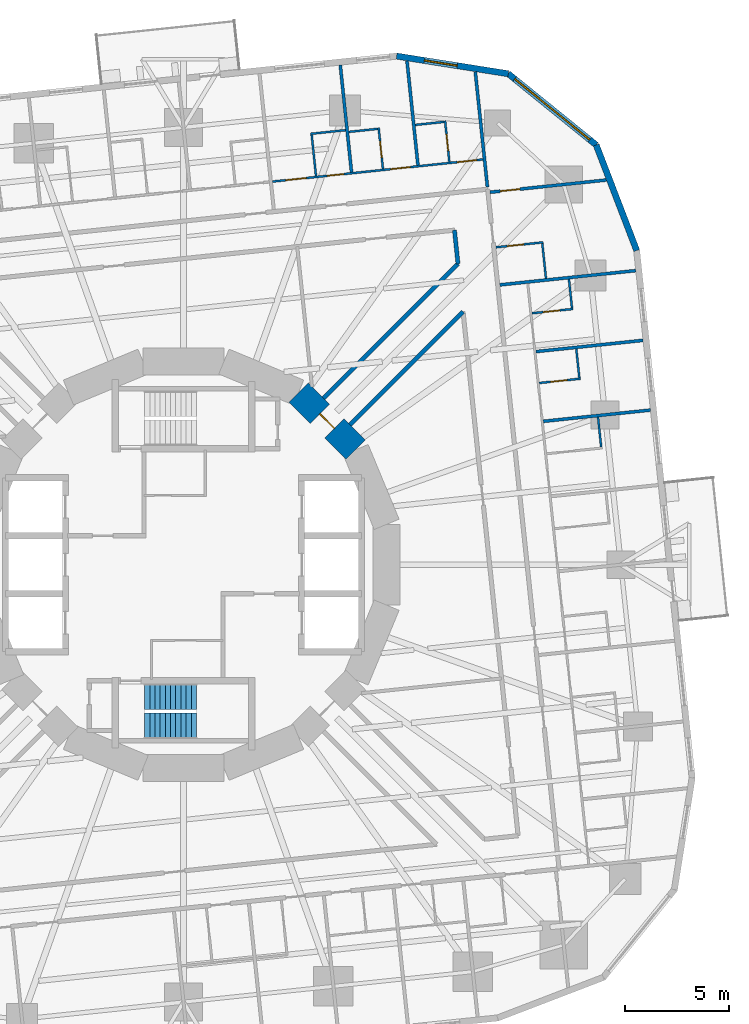
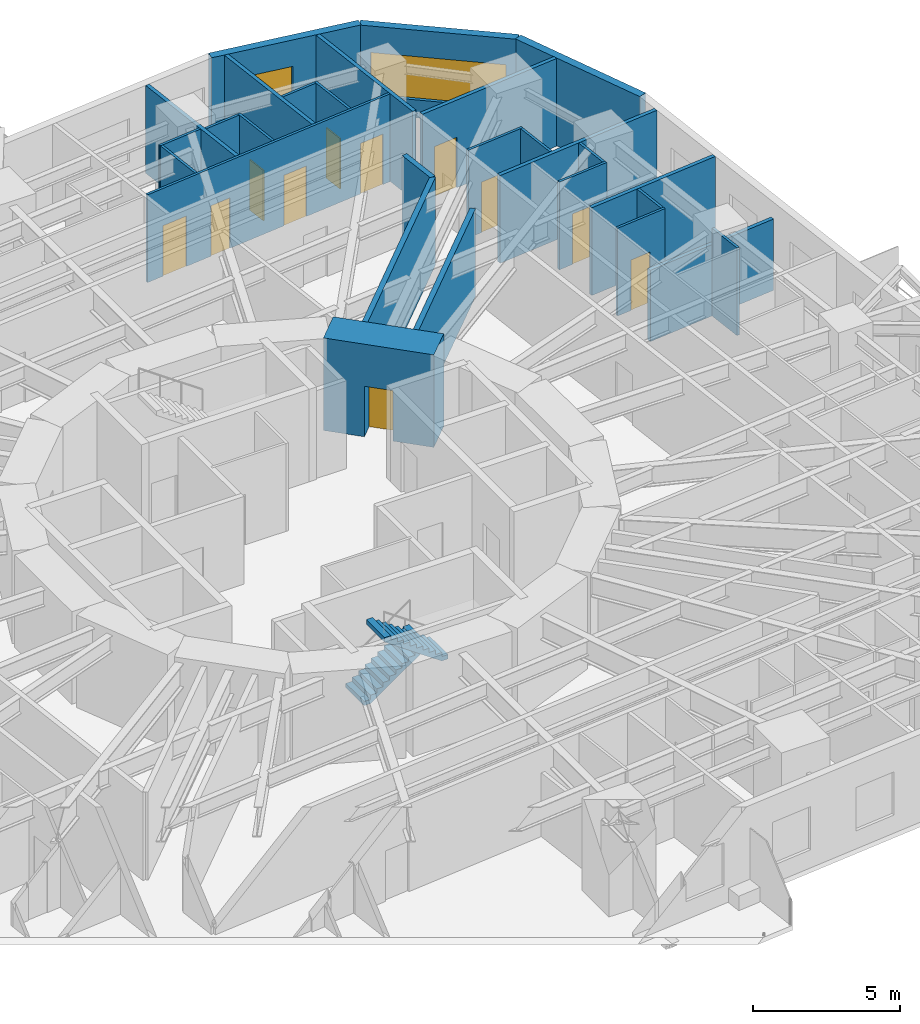
# One storey, part 12 of 15: 28 walls, 11 doors, 2 stair flights, 2 windows, 13 openings, 1 element without a shape of its own.
"""IFC4 building model written with IfcOpenShell, lengths in metres."""

from ifc_helpers import new_model, si_unit, direction, frame, frame_2d, origin, place, context, subcontext, project, spatial, polyline, rectangle, outline, extrude, material, layer, layer_set, type_object, element, fill, aggregate, save


model = new_model("IFC4")

# Units and contexts
model_context = context("Model", 3, precision=1e-05, world=origin(), true_north=direction((0.0, 1.0)))
body_context = subcontext(model_context, "Body", "Model", "MODEL_VIEW")
ifc_project = project(units=[si_unit("LENGTHUNIT", "METRE"), si_unit("AREAUNIT", "SQUARE_METRE"), si_unit("VOLUMEUNIT", "CUBIC_METRE"), si_unit("PLANEANGLEUNIT", "RADIAN"), si_unit("MASSUNIT", "GRAM", prefix="KILO")], contexts=[model_context])

# Site, building, storey
site_placement = place(None, origin())
site = spatial("IfcSite", under=ifc_project, at=site_placement, CompositionType="ELEMENT")
building_placement = place(site_placement, origin())
building = spatial("IfcBuilding", under=site, at=building_placement, Name="Nakasero Lantern House", CompositionType="ELEMENT")
storey_placement = place(building_placement, frame((0.0, 0.0, 72.050048828125)))
storey = spatial("IfcBuildingStorey", under=building, at=storey_placement, Name="L17", CompositionType="ELEMENT", Elevation=72.050048828125)

# Wall, openings, doors
ifc_material_1 = material(Name="Blockwork", Category="masonry")
ifc_layer_1 = layer(ifc_material_1, 0.10009765625)
ifc_layer_set_1 = layer_set([ifc_layer_1], Name="Cluster hall wall 100")
wall_type_1 = type_object("IfcWallType", Name="Cluster hall wall 100", PredefinedType="PARTITIONING", material=ifc_layer_set_1)
wall_1_placement = place(storey_placement, frame((14.458740234375, 19.568603515625, 0.0), z_axis=(0.0, 0.0, 1.0), x_axis=(-0.994520493056, -0.104541804513, 0.0)))
wall_1 = element("IfcWall", 1, at=wall_1_placement, inside=storey, type_object=wall_type_1, Name="Cluster hall wall L17 HW1-0", PredefinedType="PARTITIONING", context=body_context, shape_type="SweptSolid", body=[
    extrude(rectangle(XDim=10.2216796875, YDim=0.10009765625, at=frame_2d((5.11083984375, 0.0))), origin(), (0.0, 0.0, 1.0), 3.64990234375),
])
opening_1_placement = place(wall_1_placement, frame((8.57568359375, 0.0, 0.0)))
opening_1 = element("IfcOpeningElement", 2, at=opening_1_placement, cuts=wall_1, Name="Opening D03", PredefinedType="OPENING", context=body_context, shape_type="SweptSolid", body=[
    extrude(rectangle(XDim=1.0, YDim=2.10009765625, at=frame_2d((0.5, 1.050048828125))), frame((0.0, 0.070068359375, 0.0), z_axis=(0.0, -1.0, 0.0), x_axis=(1.0, 0.0, 0.0)), (0.0, 0.0, 1.0), 0.14013671875),
])
opening_2_placement = place(wall_1_placement, frame((6.75048828125, 0.0, 0.0)))
opening_2 = element("IfcOpeningElement", 3, at=opening_2_placement, cuts=wall_1, Name="Opening D02", PredefinedType="OPENING", context=body_context, shape_type="SweptSolid", body=[
    extrude(rectangle(XDim=0.800048828125, YDim=2.10009765625, at=frame_2d((0.39990234375, 1.050048828125))), frame((0.0, 0.070068359375, 0.0), z_axis=(0.0, -1.0, 0.0), x_axis=(1.0, 0.0, 0.0)), (0.0, 0.0, 1.0), 0.14013671875),
])
opening_3_placement = place(wall_1_placement, frame((0.300048828125, 0.0, 0.0)))
opening_3 = element("IfcOpeningElement", 4, at=opening_3_placement, cuts=wall_1, Name="Opening D01", PredefinedType="OPENING", context=body_context, shape_type="SweptSolid", body=[
    extrude(rectangle(XDim=0.949951171875, YDim=2.10009765625, at=frame_2d((0.47509765625, 1.050048828125))), frame((0.0, 0.070068359375, 0.0), z_axis=(0.0, -1.0, 0.0), x_axis=(1.0, 0.0, 0.0)), (0.0, 0.0, 1.0), 0.14013671875),
])
opening_4_placement = place(wall_1_placement, frame((3.525390625, 0.0, 0.0)))
opening_4 = element("IfcOpeningElement", 5, at=opening_4_placement, cuts=wall_1, Name="Opening D01", PredefinedType="OPENING", context=body_context, shape_type="SweptSolid", body=[
    extrude(rectangle(XDim=0.949951171875, YDim=2.10009765625, at=frame_2d((0.47509765625, 1.050048828125))), frame((0.0, 0.070068359375, 0.0), z_axis=(0.0, -1.0, 0.0), x_axis=(1.0, 0.0, 0.0)), (0.0, 0.0, 1.0), 0.14013671875),
])
ifc_material_2 = material(Name="Timber C24", Category="wood")
door_type_1 = type_object("IfcDoorType", Name="Bedroom door FD30S 950", OperationType="SINGLE_SWING_LEFT", PredefinedType="DOOR", material=ifc_material_2)
door_1_placement = place(opening_3_placement, origin())
door_1 = element("IfcDoor", 6, at=door_1_placement, inside=storey, type_object=door_type_1, Name="Door L17 D1-00", OperationType="SINGLE_SWING_LEFT", OverallHeight=2.10009765625, OverallWidth=0.949951171875, PredefinedType="DOOR", context=body_context, shape_type="SweptSolid", body=[
    extrude(rectangle(XDim=0.949951171875, YDim=2.10009765625, at=frame_2d((0.47509765625, 1.050048828125))), frame((0.0, 0.02490234375, 0.0), z_axis=(0.0, -1.0, 0.0), x_axis=(1.0, 0.0, 0.0)), (0.0, 0.0, 1.0), 0.050048828125),
])
fill(opening_3, door_1)
door_2_placement = place(opening_4_placement, origin())
door_2 = element("IfcDoor", 7, at=door_2_placement, inside=storey, type_object=door_type_1, Name="Door L17 D1-01", OperationType="SINGLE_SWING_LEFT", OverallHeight=2.10009765625, OverallWidth=0.949951171875, PredefinedType="DOOR", context=body_context, shape_type="SweptSolid", body=[
    extrude(rectangle(XDim=0.949951171875, YDim=2.10009765625, at=frame_2d((0.47509765625, 1.050048828125))), frame((0.0, 0.02490234375, 0.0), z_axis=(0.0, -1.0, 0.0), x_axis=(1.0, 0.0, 0.0)), (0.0, 0.0, 1.0), 0.050048828125),
])
fill(opening_4, door_2)
ifc_material_3 = material(Name="Timber C24", Category="wood")
door_type_2 = type_object("IfcDoorType", Name="En-suite door 800", OperationType="SINGLE_SWING_RIGHT", PredefinedType="DOOR", material=ifc_material_3)
door_3_placement = place(opening_2_placement, origin())
door_3 = element("IfcDoor", 8, at=door_3_placement, inside=storey, type_object=door_type_2, Name="Door L17 DSH1-0", OperationType="SINGLE_SWING_RIGHT", OverallHeight=2.10009765625, OverallWidth=0.800048828125, PredefinedType="DOOR", context=body_context, shape_type="SweptSolid", body=[
    extrude(rectangle(XDim=0.800048828125, YDim=2.10009765625, at=frame_2d((0.39990234375, 1.050048828125))), frame((0.0, 0.02490234375, 0.0), z_axis=(0.0, -1.0, 0.0), x_axis=(1.0, 0.0, 0.0)), (0.0, 0.0, 1.0), 0.050048828125),
])
fill(opening_2, door_3)
ifc_material_4 = material(Name="Timber C24", Category="wood")
door_type_3 = type_object("IfcDoorType", Name="Lounge door FD30S 1000", OperationType="SINGLE_SWING_LEFT", PredefinedType="DOOR", material=ifc_material_4)
door_4_placement = place(opening_1_placement, origin())
door_4 = element("IfcDoor", 9, at=door_4_placement, inside=storey, type_object=door_type_3, Name="Door L17 DH1-0", OperationType="SINGLE_SWING_RIGHT", OverallHeight=2.10009765625, OverallWidth=1.0, PredefinedType="DOOR", context=body_context, shape_type="SweptSolid", body=[
    extrude(rectangle(XDim=1.0, YDim=2.10009765625, at=frame_2d((0.5, 1.050048828125))), frame((0.0, 0.02490234375, 0.0), z_axis=(0.0, -1.0, 0.0), x_axis=(1.0, 0.0, 0.0)), (0.0, 0.0, 1.0), 0.050048828125),
])
fill(opening_1, door_4)

# Wall, opening, door
ifc_material_5 = material(Name="Concrete C50/60", Category="concrete")
ifc_layer_2 = layer(ifc_material_5, 1.300048828125)
ifc_layer_set_2 = layer_set([ifc_layer_2], Name="Core wall 1300")
wall_type_2 = type_object("IfcWallType", Name="Core wall 1300", PredefinedType="SHEAR", material=ifc_layer_set_2)
wall_2_placement = place(storey_placement, frame((8.314697265625, 5.5556640625, 0.0), z_axis=(0.0, 0.0, 1.0), x_axis=(-0.707106781187, 0.707106781187, 0.0)))
wall_2 = element("IfcWall", 10, at=wall_2_placement, inside=storey, type_object=wall_type_2, Name="Core wall L17 facet 2", PredefinedType="SHEAR", context=body_context, shape_type="SweptSolid", body=[
    extrude(rectangle(XDim=3.90185546875, YDim=1.300048828125, at=frame_2d((1.950927734375, 0.0))), origin(), (0.0, 0.0, 1.0), 3.849853515625),
])
opening_5_placement = place(wall_2_placement, frame((1.450927734375, 0.0, 0.0)))
opening_5 = element("IfcOpeningElement", 11, at=opening_5_placement, cuts=wall_2, Name="Opening D05", PredefinedType="OPENING", context=body_context, shape_type="SweptSolid", body=[
    extrude(rectangle(XDim=1.0, YDim=2.10009765625, at=frame_2d((0.5, 1.050048828125))), frame((0.0, 0.669921875, 0.0), z_axis=(0.0, -1.0, 0.0), x_axis=(1.0, 0.0, 0.0)), (0.0, 0.0, 1.0), 1.340087890625),
])
ifc_material_6 = material(Name="Timber C24", Category="wood")
door_type_4 = type_object("IfcDoorType", Name="Core door FD60S 1000", OperationType="SINGLE_SWING_LEFT", PredefinedType="DOOR", material=ifc_material_6)
door_5_placement = place(opening_5_placement, origin())
door_5 = element("IfcDoor", 12, at=door_5_placement, inside=storey, type_object=door_type_4, Name="Door L17 D-CORE02", OperationType="SINGLE_SWING_LEFT", OverallHeight=2.10009765625, OverallWidth=1.0, PredefinedType="DOOR", context=body_context, shape_type="SweptSolid", body=[
    extrude(rectangle(XDim=1.0, YDim=2.10009765625, at=frame_2d((0.5, 1.050048828125))), frame((0.0, 0.02490234375, 0.0), z_axis=(0.0, -1.0, 0.0), x_axis=(1.0, 0.0, 0.0)), (0.0, 0.0, 1.0), 0.050048828125),
])
fill(opening_5, door_5)

# Walls
ifc_material_7 = material(Name="Blockwork", Category="masonry")
ifc_layer_3 = layer(ifc_material_7, 0.199951171875)
ifc_layer_set_3 = layer_set([ifc_layer_3], Name="Corridor wall 200")
wall_type_3 = type_object("IfcWallType", Name="Corridor wall 200", PredefinedType="PARTITIONING", material=ifc_layer_set_3)
wall_3_placement = place(storey_placement, frame((13.254150390625, 14.52685546875, 0.0), z_axis=(0.0, 0.0, 1.0), x_axis=(-0.104475313001, 0.99452748025, 0.0)))
element("IfcWall", 13, at=wall_3_placement, inside=storey, type_object=wall_type_3, Name="Corridor wall L17 IW0-1", PredefinedType="PARTITIONING", context=body_context, shape_type="SweptSolid", body=[
    extrude(rectangle(XDim=1.63818359375, YDim=0.199951171875, at=frame_2d((0.819091796875, 0.0))), origin(), (0.0, 0.0, 1.0), 3.64990234375),
])
wall_4_placement = place(storey_placement, frame((6.758544921875, 8.03125, 0.0), z_axis=(0.0, 0.0, 1.0), x_axis=(0.707106781187, 0.707106781187, 0.0)))
element("IfcWall", 14, at=wall_4_placement, inside=storey, type_object=wall_type_3, Name="Corridor wall L17 PS02a", PredefinedType="PARTITIONING", context=body_context, shape_type="SweptSolid", body=[
    extrude(rectangle(XDim=9.186279296875, YDim=0.199951171875, at=frame_2d((4.59326171875, 0.0))), origin(), (0.0, 0.0, 1.0), 3.64990234375),
])
wall_5_placement = place(storey_placement, frame((8.03125, 6.758544921875, 0.0), z_axis=(0.0, 0.0, 1.0), x_axis=(0.707122575573, 0.707090986447, 0.0)))
element("IfcWall", 15, at=wall_5_placement, inside=storey, type_object=wall_type_3, Name="Corridor wall L17 PS02b", PredefinedType="PARTITIONING", context=body_context, shape_type="SweptSolid", body=[
    extrude(rectangle(XDim=7.728515625, YDim=0.199951171875, at=frame_2d((3.8642578125, 0.0))), origin(), (0.0, 0.0, 1.0), 3.64990234375),
])
ifc_material_8 = material(Name="Blockwork", Category="masonry")
ifc_layer_4 = layer(ifc_material_8, 0.10009765625)
ifc_layer_set_4 = layer_set([ifc_layer_4], Name="En-suite wall 100")
wall_type_4 = type_object("IfcWallType", Name="En-suite wall 100", PredefinedType="PARTITIONING", material=ifc_layer_set_4)
wall_6_placement = place(storey_placement, frame((20.166259765625, 5.68408203125, 0.0), z_axis=(0.0, 0.0, 1.0), x_axis=(-0.10455332221, 0.994519282274, 0.0)))
element("IfcWall", 16, at=wall_6_placement, inside=storey, type_object=wall_type_4, Name="En-suite wall L17 EE0-05", PredefinedType="PARTITIONING", context=body_context, shape_type="SweptSolid", body=[
    extrude(rectangle(XDim=1.4501953125, YDim=0.10009765625, at=frame_2d((0.72509765625, 0.0))), origin(), (0.0, 0.0, 1.0), 3.64990234375),
])

# Wall, opening, door
wall_7_placement = place(storey_placement, frame((17.177001953125, 8.774169921875, 0.0), z_axis=(0.0, 0.0, 1.0), x_axis=(0.99452550138, 0.104494148666, 0.0)))
wall_7 = element("IfcWall", 17, at=wall_7_placement, inside=storey, type_object=wall_type_4, Name="En-suite wall L17 ES0-06", PredefinedType="PARTITIONING", context=body_context, shape_type="SweptSolid", body=[
    extrude(rectangle(XDim=2.0, YDim=0.10009765625, at=frame_2d((1.0, 0.0))), origin(), (0.0, 0.0, 1.0), 3.64990234375),
])
opening_6_placement = place(wall_7_placement, frame((0.550048828125, 0.0, 0.0)))
opening_6 = element("IfcOpeningElement", 18, at=opening_6_placement, cuts=wall_7, Name="Opening D02", PredefinedType="OPENING", context=body_context, shape_type="SweptSolid", body=[
    extrude(rectangle(XDim=0.800048828125, YDim=2.10009765625, at=frame_2d((0.39990234375, 1.050048828125))), frame((0.0, 0.070068359375, 0.0), z_axis=(0.0, -1.0, 0.0), x_axis=(1.0, 0.0, 0.0)), (0.0, 0.0, 1.0), 0.14013671875),
])
door_6_placement = place(opening_6_placement, origin())
door_6 = element("IfcDoor", 19, at=door_6_placement, inside=storey, type_object=door_type_2, Name="Door L17 DE0-06", OperationType="SINGLE_SWING_LEFT", OverallHeight=2.10009765625, OverallWidth=0.800048828125, PredefinedType="DOOR", context=body_context, shape_type="SweptSolid", body=[
    extrude(rectangle(XDim=0.800048828125, YDim=2.10009765625, at=frame_2d((0.39990234375, 1.050048828125))), frame((0.0, 0.02490234375, 0.0), z_axis=(0.0, -1.0, 0.0), x_axis=(1.0, 0.0, 0.0)), (0.0, 0.0, 1.0), 0.050048828125),
])
fill(opening_6, door_6)

# Wall
wall_8_placement = place(storey_placement, frame((19.111083984375, 9.027587890625, 0.0), z_axis=(0.0, 0.0, 1.0), x_axis=(-0.104630319263, 0.994511184598, 0.0)))
element("IfcWall", 20, at=wall_8_placement, inside=storey, type_object=wall_type_4, Name="En-suite wall L17 EE0-06", PredefinedType="PARTITIONING", context=body_context, shape_type="SweptSolid", body=[
    extrude(rectangle(XDim=1.39990234375, YDim=0.10009765625, at=frame_2d((0.699951171875, 0.0))), origin(), (0.0, 0.0, 1.0), 3.64990234375),
])

# Wall, opening, door
wall_9_placement = place(storey_placement, frame((16.822998046875, 12.14111328125, 0.0), z_axis=(0.0, 0.0, 1.0), x_axis=(0.99452550138, 0.104494148666, 0.0)))
wall_9 = element("IfcWall", 21, at=wall_9_placement, inside=storey, type_object=wall_type_4, Name="En-suite wall L17 ES0-07", PredefinedType="PARTITIONING", context=body_context, shape_type="SweptSolid", body=[
    extrude(rectangle(XDim=2.0, YDim=0.10009765625, at=frame_2d((1.0, 0.0))), origin(), (0.0, 0.0, 1.0), 3.64990234375),
])
opening_7_placement = place(wall_9_placement, frame((0.550048828125, 0.0, 0.0)))
opening_7 = element("IfcOpeningElement", 22, at=opening_7_placement, cuts=wall_9, Name="Opening D02", PredefinedType="OPENING", context=body_context, shape_type="SweptSolid", body=[
    extrude(rectangle(XDim=0.800048828125, YDim=2.10009765625, at=frame_2d((0.39990234375, 1.050048828125))), frame((0.0, 0.070068359375, 0.0), z_axis=(0.0, -1.0, 0.0), x_axis=(1.0, 0.0, 0.0)), (0.0, 0.0, 1.0), 0.14013671875),
])
door_7_placement = place(opening_7_placement, origin())
door_7 = element("IfcDoor", 23, at=door_7_placement, inside=storey, type_object=door_type_2, Name="Door L17 DE0-07", OperationType="SINGLE_SWING_LEFT", OverallHeight=2.10009765625, OverallWidth=0.800048828125, PredefinedType="DOOR", context=body_context, shape_type="SweptSolid", body=[
    extrude(rectangle(XDim=0.800048828125, YDim=2.10009765625, at=frame_2d((0.39990234375, 1.050048828125))), frame((0.0, 0.02490234375, 0.0), z_axis=(0.0, -1.0, 0.0), x_axis=(1.0, 0.0, 0.0)), (0.0, 0.0, 1.0), 0.050048828125),
])
fill(opening_7, door_7)

# Wall
wall_10_placement = place(storey_placement, frame((18.757080078125, 12.394775390625, 0.0), z_axis=(0.0, 0.0, 1.0), x_axis=(-0.104457839748, 0.994529315664, 0.0)))
element("IfcWall", 24, at=wall_10_placement, inside=storey, type_object=wall_type_4, Name="En-suite wall L17 EE0-07", PredefinedType="PARTITIONING", context=body_context, shape_type="SweptSolid", body=[
    extrude(rectangle(XDim=1.39990234375, YDim=0.10009765625, at=frame_2d((0.699951171875, 0.0))), origin(), (0.0, 0.0, 1.0), 3.64990234375),
])

# Wall, opening, door
wall_11_placement = place(storey_placement, frame((15.08056640625, 15.326416015625, 0.0), z_axis=(0.0, 0.0, 1.0), x_axis=(0.994518822602, 0.104557694553, 0.0)))
wall_11 = element("IfcWall", 25, at=wall_11_placement, inside=storey, type_object=wall_type_4, Name="En-suite wall L17 ES0-08", PredefinedType="PARTITIONING", context=body_context, shape_type="SweptSolid", body=[
    extrude(rectangle(XDim=2.300048828125, YDim=0.10009765625, at=frame_2d((1.14990234375, 0.0))), origin(), (0.0, 0.0, 1.0), 3.64990234375),
])
opening_8_placement = place(wall_11_placement, frame((0.550048828125, 0.0, 0.0)))
opening_8 = element("IfcOpeningElement", 26, at=opening_8_placement, cuts=wall_11, Name="Opening D02", PredefinedType="OPENING", context=body_context, shape_type="SweptSolid", body=[
    extrude(rectangle(XDim=0.800048828125, YDim=2.10009765625, at=frame_2d((0.39990234375, 1.050048828125))), frame((0.0, 0.070068359375, 0.0), z_axis=(0.0, -1.0, 0.0), x_axis=(1.0, 0.0, 0.0)), (0.0, 0.0, 1.0), 0.14013671875),
])
door_8_placement = place(opening_8_placement, origin())
door_8 = element("IfcDoor", 27, at=door_8_placement, inside=storey, type_object=door_type_2, Name="Door L17 DE0-08", OperationType="SINGLE_SWING_LEFT", OverallHeight=2.10009765625, OverallWidth=0.800048828125, PredefinedType="DOOR", context=body_context, shape_type="SweptSolid", body=[
    extrude(rectangle(XDim=0.800048828125, YDim=2.10009765625, at=frame_2d((0.39990234375, 1.050048828125))), frame((0.0, 0.02490234375, 0.0), z_axis=(0.0, -1.0, 0.0), x_axis=(1.0, 0.0, 0.0)), (0.0, 0.0, 1.0), 0.050048828125),
])
fill(opening_8, door_8)

# Walls
wall_12_placement = place(storey_placement, frame((17.501220703125, 13.8212890625, 0.0), z_axis=(0.0, 0.0, 1.0), x_axis=(-0.104550220202, 0.994519608382, 0.0)))
element("IfcWall", 28, at=wall_12_placement, inside=storey, type_object=wall_type_4, Name="En-suite wall L17 EE0-08", PredefinedType="PARTITIONING", context=body_context, shape_type="SweptSolid", body=[
    extrude(rectangle(XDim=1.699951171875, YDim=0.10009765625, at=frame_2d((0.85009765625, 0.0))), origin(), (0.0, 0.0, 1.0), 3.64990234375),
])
wall_13_placement = place(storey_placement, frame((6.397216796875, 18.771484375, 0.0), z_axis=(0.0, 0.0, 1.0), x_axis=(-0.104509292252, 0.994523910136, 0.0)))
element("IfcWall", 29, at=wall_13_placement, inside=storey, type_object=wall_type_4, Name="En-suite wall L17 SS1-0", PredefinedType="PARTITIONING", context=body_context, shape_type="SweptSolid", body=[
    extrude(rectangle(XDim=2.10009765625, YDim=0.10009765625, at=frame_2d((1.050048828125, 0.0))), origin(), (0.0, 0.0, 1.0), 3.64990234375),
])
wall_14_placement = place(storey_placement, frame((7.823974609375, 20.982666015625, 0.0), z_axis=(0.0, 0.0, 1.0), x_axis=(-0.994534530939, -0.104408173862, 0.0)))
element("IfcWall", 30, at=wall_14_placement, inside=storey, type_object=wall_type_4, Name="En-suite wall L17 SE1-0", PredefinedType="PARTITIONING", context=body_context, shape_type="SweptSolid", body=[
    extrude(rectangle(XDim=1.699951171875, YDim=0.10009765625, at=frame_2d((0.85009765625, 0.0))), origin(), (0.0, 0.0, 1.0), 3.64990234375),
])

# Wall, opening, door
wall_15_placement = place(storey_placement, frame((12.837158203125, 19.448486328125, 0.0), z_axis=(0.0, 0.0, 1.0), x_axis=(-0.104494148666, 0.99452550138, 0.0)))
wall_15 = element("IfcWall", 31, at=wall_15_placement, inside=storey, type_object=wall_type_4, Name="En-suite wall L17 ES1-00", PredefinedType="PARTITIONING", context=body_context, shape_type="SweptSolid", body=[
    extrude(rectangle(XDim=2.0, YDim=0.10009765625, at=frame_2d((1.0, 0.0))), origin(), (0.0, 0.0, 1.0), 3.64990234375),
])
opening_9_placement = place(wall_15_placement, frame((0.550048828125, 0.0, 0.0)))
opening_9 = element("IfcOpeningElement", 32, at=opening_9_placement, cuts=wall_15, Name="Opening D02", PredefinedType="OPENING", context=body_context, shape_type="SweptSolid", body=[
    extrude(rectangle(XDim=0.800048828125, YDim=2.10009765625, at=frame_2d((0.39990234375, 1.050048828125))), frame((0.0, 0.070068359375, 0.0), z_axis=(0.0, -1.0, 0.0), x_axis=(1.0, 0.0, 0.0)), (0.0, 0.0, 1.0), 0.14013671875),
])
door_9_placement = place(opening_9_placement, origin())
door_9 = element("IfcDoor", 33, at=door_9_placement, inside=storey, type_object=door_type_2, Name="Door L17 DE1-00", OperationType="SINGLE_SWING_LEFT", OverallHeight=2.10009765625, OverallWidth=0.800048828125, PredefinedType="DOOR", context=body_context, shape_type="SweptSolid", body=[
    extrude(rectangle(XDim=0.800048828125, YDim=2.10009765625, at=frame_2d((0.39990234375, 1.050048828125))), frame((0.0, 0.02490234375, 0.0), z_axis=(0.0, -1.0, 0.0), x_axis=(1.0, 0.0, 0.0)), (0.0, 0.0, 1.0), 0.050048828125),
])
fill(opening_9, door_9)

# Wall
wall_16_placement = place(storey_placement, frame((12.58349609375, 21.382568359375, 0.0), z_axis=(0.0, 0.0, 1.0), x_axis=(-0.994511184598, -0.104630319263, 0.0)))
element("IfcWall", 34, at=wall_16_placement, inside=storey, type_object=wall_type_4, Name="En-suite wall L17 EE1-00", PredefinedType="PARTITIONING", context=body_context, shape_type="SweptSolid", body=[
    extrude(rectangle(XDim=1.39990234375, YDim=0.10009765625, at=frame_2d((0.699951171875, 0.0))), origin(), (0.0, 0.0, 1.0), 3.64990234375),
])

# Wall, opening, door
wall_17_placement = place(storey_placement, frame((9.62939453125, 19.111328125, 0.0), z_axis=(0.0, 0.0, 1.0), x_axis=(-0.104494148666, 0.99452550138, 0.0)))
wall_17 = element("IfcWall", 35, at=wall_17_placement, inside=storey, type_object=wall_type_4, Name="En-suite wall L17 ES1-01", PredefinedType="PARTITIONING", context=body_context, shape_type="SweptSolid", body=[
    extrude(rectangle(XDim=2.0, YDim=0.10009765625, at=frame_2d((1.0, 0.0))), origin(), (0.0, 0.0, 1.0), 3.64990234375),
])
opening_10_placement = place(wall_17_placement, frame((0.550048828125, 0.0, 0.0)))
opening_10 = element("IfcOpeningElement", 36, at=opening_10_placement, cuts=wall_17, Name="Opening D02", PredefinedType="OPENING", context=body_context, shape_type="SweptSolid", body=[
    extrude(rectangle(XDim=0.800048828125, YDim=2.10009765625, at=frame_2d((0.39990234375, 1.050048828125))), frame((0.0, 0.070068359375, 0.0), z_axis=(0.0, -1.0, 0.0), x_axis=(1.0, 0.0, 0.0)), (0.0, 0.0, 1.0), 0.14013671875),
])
door_10_placement = place(opening_10_placement, origin())
door_10 = element("IfcDoor", 37, at=door_10_placement, inside=storey, type_object=door_type_2, Name="Door L17 DE1-01", OperationType="SINGLE_SWING_LEFT", OverallHeight=2.10009765625, OverallWidth=0.800048828125, PredefinedType="DOOR", context=body_context, shape_type="SweptSolid", body=[
    extrude(rectangle(XDim=0.800048828125, YDim=2.10009765625, at=frame_2d((0.39990234375, 1.050048828125))), frame((0.0, 0.02490234375, 0.0), z_axis=(0.0, -1.0, 0.0), x_axis=(1.0, 0.0, 0.0)), (0.0, 0.0, 1.0), 0.050048828125),
])
fill(opening_10, door_10)

# Walls
wall_18_placement = place(storey_placement, frame((9.3759765625, 21.04541015625, 0.0), z_axis=(0.0, 0.0, 1.0), x_axis=(-0.994511184598, -0.104630319263, 0.0)))
element("IfcWall", 38, at=wall_18_placement, inside=storey, type_object=wall_type_4, Name="En-suite wall L17 EE1-01", PredefinedType="PARTITIONING", context=body_context, shape_type="SweptSolid", body=[
    extrude(rectangle(XDim=1.39990234375, YDim=0.10009765625, at=frame_2d((0.699951171875, 0.0))), origin(), (0.0, 0.0, 1.0), 3.64990234375),
])
ifc_material_9 = material(Name="Aluminium rainscreen on blockwork", Category="masonry")
ifc_layer_5 = layer(ifc_material_9, 0.300048828125)
ifc_layer_set_5 = layer_set([ifc_layer_5], Name="Facade wall 300")
wall_type_5 = type_object("IfcWallType", Name="Facade wall 300", PredefinedType="SOLIDWALL", material=ifc_layer_set_5)
wall_19_placement = place(storey_placement, frame((21.884033203125, 15.170654296875, 0.0), z_axis=(0.0, 0.0, 1.0), x_axis=(-0.358358884793, 0.933583906079, 0.0)))
element("IfcWall", 39, at=wall_19_placement, inside=storey, type_object=wall_type_5, Name="Facade wall L17 FW0C1", PredefinedType="SOLIDWALL", context=body_context, shape_type="SweptSolid", body=[
    extrude(rectangle(XDim=5.461181640625, YDim=0.300048828125, at=frame_2d((2.73046875, 0.0))), origin(), (0.0, 0.0, 1.0), 3.64990234375),
])

# Wall, opening, window
wall_20_placement = place(storey_placement, frame((19.927001953125, 20.26904296875, 0.0), z_axis=(0.0, 0.0, 1.0), x_axis=(-0.777134500863, 0.629334543442, 0.0)))
wall_20 = element("IfcWall", 40, at=wall_20_placement, inside=storey, type_object=wall_type_5, Name="Facade wall L17 FW0C2", PredefinedType="SOLIDWALL", context=body_context, shape_type="SweptSolid", body=[
    extrude(rectangle(XDim=5.4609375, YDim=0.300048828125, at=frame_2d((2.73046875, 0.0))), origin(), (0.0, 0.0, 1.0), 3.64990234375),
])
opening_11_placement = place(wall_20_placement, frame((0.39990234375, 0.0, 0.75)))
opening_11 = element("IfcOpeningElement", 41, at=opening_11_placement, cuts=wall_20, Name="Opening W246", PredefinedType="OPENING", context=body_context, shape_type="SweptSolid", body=[
    extrude(rectangle(XDim=4.660888671875, YDim=1.800048828125, at=frame_2d((2.33056640625, 0.89990234375))), frame((0.0, 0.169921875, 0.0), z_axis=(0.0, -1.0, 0.0), x_axis=(1.0, 0.0, 0.0)), (0.0, 0.0, 1.0), 0.340087890625),
])
ifc_material_10 = material(Name="Aluminium 6063-T6 and glass", Category="aluminium")
window_type_1 = type_object("IfcWindowType", Name="Corner window 4661x1800", PartitioningType="SINGLE_PANEL", PredefinedType="WINDOW", material=ifc_material_10)
window_1_placement = place(opening_11_placement, origin())
window_1 = element("IfcWindow", 42, at=window_1_placement, inside=storey, type_object=window_type_1, Name="Window L17 WC0", OverallHeight=1.800048828125, OverallWidth=4.660888671875, PartitioningType="SINGLE_PANEL", PredefinedType="WINDOW", context=body_context, shape_type="SweptSolid", body=[
    extrude(rectangle(XDim=4.660888671875, YDim=1.800048828125, at=frame_2d((2.33056640625, 0.89990234375))), frame((0.0, 0.030029296875, 0.0), z_axis=(0.0, -1.0, 0.0), x_axis=(1.0, 0.0, 0.0)), (0.0, 0.0, 1.0), 0.06005859375),
])
fill(opening_11, window_1)

wall_21_placement = place(storey_placement, frame((15.68310546875, 23.705810546875, 0.0), z_axis=(0.0, 0.0, 1.0), x_axis=(-0.987690729142, 0.156419383601, 0.0)))
wall_21 = element("IfcWall", 43, at=wall_21_placement, inside=storey, type_object=wall_type_5, Name="Facade wall L17 FW0C3", PredefinedType="SOLIDWALL", context=body_context, shape_type="SweptSolid", body=[
    extrude(rectangle(XDim=5.461181640625, YDim=0.300048828125, at=frame_2d((2.73046875, 0.0))), origin(), (0.0, 0.0, 1.0), 3.64990234375),
])
opening_12_placement = place(wall_21_placement, frame((2.5, 0.0, 0.75)))
opening_12 = element("IfcOpeningElement", 44, at=opening_12_placement, cuts=wall_21, Name="Opening W01", PredefinedType="OPENING", context=body_context, shape_type="SweptSolid", body=[
    extrude(rectangle(XDim=1.60009765625, YDim=1.800048828125, at=frame_2d((0.800048828125, 0.89990234375))), frame((0.0, 0.169921875, 0.0), z_axis=(0.0, -1.0, 0.0), x_axis=(1.0, 0.0, 0.0)), (0.0, 0.0, 1.0), 0.340087890625),
])
ifc_material_11 = material(Name="Aluminium 6063-T6 and glass", Category="aluminium")
window_type_2 = type_object("IfcWindowType", Name="Bedroom window 1600x1800", PartitioningType="SINGLE_PANEL", PredefinedType="WINDOW", material=ifc_material_11)
window_2_placement = place(opening_12_placement, origin())
window_2 = element("IfcWindow", 45, at=window_2_placement, inside=storey, type_object=window_type_2, Name="Window L17 WN1-00", OverallHeight=1.800048828125, OverallWidth=1.60009765625, PartitioningType="SINGLE_PANEL", PredefinedType="WINDOW", context=body_context, shape_type="SweptSolid", body=[
    extrude(rectangle(XDim=1.60009765625, YDim=1.800048828125, at=frame_2d((0.800048828125, 0.89990234375))), frame((0.0, 0.030029296875, 0.0), z_axis=(0.0, -1.0, 0.0), x_axis=(1.0, 0.0, 0.0)), (0.0, 0.0, 1.0), 0.06005859375),
])
fill(opening_12, window_2)

# Walls
ifc_material_12 = material(Name="Blockwork", Category="masonry")
ifc_layer_6 = layer(ifc_material_12, 0.14990234375)
ifc_layer_set_6 = layer_set([ifc_layer_6], Name="Party wall 150")
wall_type_6 = type_object("IfcWallType", Name="Party wall 150", PredefinedType="PARTITIONING", material=ifc_layer_set_6)
wall_22_placement = place(storey_placement, frame((17.371337890625, 6.923828125, 0.0), z_axis=(0.0, 0.0, 1.0), x_axis=(0.994523959761, 0.104508820017, 0.0)))
element("IfcWall", 46, at=wall_22_placement, inside=storey, type_object=wall_type_6, Name="Party wall L17 PW0-06", PredefinedType="PARTITIONING", context=body_context, shape_type="SweptSolid", body=[
    extrude(rectangle(XDim=5.2001953125, YDim=0.14990234375, at=frame_2d((2.60009765625, 0.0))), origin(), (0.0, 0.0, 1.0), 2.966552734375),
])
wall_23_placement = place(storey_placement, frame((17.017578125, 10.290771484375, 0.0), z_axis=(0.0, 0.0, 1.0), x_axis=(0.994523446942, 0.104513699976, 0.0)))
element("IfcWall", 47, at=wall_23_placement, inside=storey, type_object=wall_type_6, Name="Party wall L17 PW0-07", PredefinedType="PARTITIONING", context=body_context, shape_type="SweptSolid", body=[
    extrude(rectangle(XDim=5.199951171875, YDim=0.14990234375, at=frame_2d((2.60009765625, 0.0))), origin(), (0.0, 0.0, 1.0), 3.64990234375),
])
wall_24_placement = place(storey_placement, frame((15.271240234375, 13.511474609375, 0.0), z_axis=(0.0, 0.0, 1.0), x_axis=(0.994521251134, 0.104534592565, 0.0)))
element("IfcWall", 48, at=wall_24_placement, inside=storey, type_object=wall_type_6, Name="Party wall L17 PW0-08", PredefinedType="PARTITIONING", context=body_context, shape_type="SweptSolid", body=[
    extrude(rectangle(XDim=6.60009765625, YDim=0.14990234375, at=frame_2d((3.300048828125, 0.0))), origin(), (0.0, 0.0, 1.0), 3.64990234375),
])

# Wall, opening, door
wall_25_placement = place(storey_placement, frame((14.801025390625, 17.9853515625, 0.0), z_axis=(0.0, 0.0, 1.0), x_axis=(0.994522751177, 0.104520320471, 0.0)))
wall_25 = element("IfcWall", 49, at=wall_25_placement, inside=storey, type_object=wall_type_6, Name="Party wall L17 PC0", PredefinedType="PARTITIONING", context=body_context, shape_type="SweptSolid", body=[
    extrude(rectangle(XDim=5.64111328125, YDim=0.14990234375, at=frame_2d((2.820556640625, 0.0))), origin(), (0.0, 0.0, 1.0), 3.64990234375),
])
opening_13_placement = place(wall_25_placement, frame((0.5, 0.0, 0.0)))
opening_13 = element("IfcOpeningElement", 50, at=opening_13_placement, cuts=wall_25, Name="Opening D01", PredefinedType="OPENING", context=body_context, shape_type="SweptSolid", body=[
    extrude(rectangle(XDim=0.949951171875, YDim=2.10009765625, at=frame_2d((0.47509765625, 1.050048828125))), frame((0.0, 0.094970703125, 0.0), z_axis=(0.0, -1.0, 0.0), x_axis=(1.0, 0.0, 0.0)), (0.0, 0.0, 1.0), 0.18994140625),
])
door_11_placement = place(opening_13_placement, origin())
door_11 = element("IfcDoor", 51, at=door_11_placement, inside=storey, type_object=door_type_1, Name="Door L17 DC0", OperationType="SINGLE_SWING_LEFT", OverallHeight=2.10009765625, OverallWidth=0.949951171875, PredefinedType="DOOR", context=body_context, shape_type="SweptSolid", body=[
    extrude(rectangle(XDim=0.949951171875, YDim=2.10009765625, at=frame_2d((0.47509765625, 1.050048828125))), frame((0.0, 0.02490234375, 0.0), z_axis=(0.0, -1.0, 0.0), x_axis=(1.0, 0.0, 0.0)), (0.0, 0.0, 1.0), 0.050048828125),
])
fill(opening_13, door_11)

# Walls
wall_26_placement = place(storey_placement, frame((14.674560546875, 18.23388671875, 0.0), z_axis=(0.0, 0.0, 1.0), x_axis=(-0.104541754786, 0.994520498284, 0.0)))
element("IfcWall", 52, at=wall_26_placement, inside=storey, type_object=wall_type_6, Name="Party wall L17 PW1-00", PredefinedType="PARTITIONING", context=body_context, shape_type="SweptSolid", body=[
    extrude(rectangle(XDim=5.597900390625, YDim=0.14990234375, at=frame_2d((2.798828125, 0.0))), origin(), (0.0, 0.0, 1.0), 3.64990234375),
])
wall_27_placement = place(storey_placement, frame((11.320556640625, 19.2890625, 0.0), z_axis=(0.0, 0.0, 1.0), x_axis=(-0.104559257608, 0.994518658271, 0.0)))
element("IfcWall", 53, at=wall_27_placement, inside=storey, type_object=wall_type_6, Name="Party wall L17 PW1-01", PredefinedType="PARTITIONING", context=body_context, shape_type="SweptSolid", body=[
    extrude(rectangle(XDim=5.062255859375, YDim=0.14990234375, at=frame_2d((2.53125, 0.0))), origin(), (0.0, 0.0, 1.0), 3.64990234375),
])
wall_28_placement = place(storey_placement, frame((8.11279296875, 18.951904296875, 0.0), z_axis=(0.0, 0.0, 1.0), x_axis=(-0.104513699976, 0.994523446942, 0.0)))
element("IfcWall", 54, at=wall_28_placement, inside=storey, type_object=wall_type_6, Name="Party wall L17 PW1-02", PredefinedType="PARTITIONING", context=body_context, shape_type="SweptSolid", body=[
    extrude(rectangle(XDim=5.199951171875, YDim=0.14990234375, at=frame_2d((2.60009765625, 0.0))), origin(), (0.0, 0.0, 1.0), 3.64990234375),
])

# Stair, stair flights
ifc_material_13 = material(Name="Concrete C40/50", Category="concrete")
stair_type = type_object("IfcStairType", Name="Escape stair ST2 22 risers", PredefinedType="HALF_TURN_STAIR", material=ifc_material_13)
stair_placement = place(storey_placement, origin())
stair = element("IfcStair", 55, at=stair_placement, inside=storey, type_object=stair_type, Name="Escape stair ST2 L17", PredefinedType="HALF_TURN_STAIR")
ifc_material_14 = material(Name="Concrete C40/50", Category="concrete")
stair_flight_type = type_object("IfcStairFlightType", Name="Escape stair flight", PredefinedType="STRAIGHT", material=ifc_material_14)
stair_flight_1_placement = place(storey_placement, frame((-1.875, -6.375, 0.0), z_axis=(0.0, 0.0, 1.0), x_axis=(1.0, 0.0, 0.0)))
stair_flight_1 = element("IfcStairFlight", 56, at=stair_flight_1_placement, type_object=stair_flight_type, Name="ST2 flight 1", NumberOfRisers=11, NumberOfTreads=10, PredefinedType="STRAIGHT", RiserHeight=0.175, TreadLength=0.25, context=body_context, shape_type="SweptSolid", body=[
    extrude(outline(polyline([(0.0, 0.0), (0.0, 0.175048828125), (0.25, 0.175048828125), (0.25, 0.35009765625), (0.5, 0.35009765625), (0.5, 0.52490234375), (0.75, 0.52490234375), (0.75, 0.699951171875), (1.0, 0.699951171875), (1.0, 0.875), (1.25, 0.875), (1.25, 1.050048828125), (1.5, 1.050048828125), (1.5, 1.22509765625), (1.75, 1.22509765625), (1.75, 1.39990234375), (2.0, 1.39990234375), (2.0, 1.574951171875), (2.25, 1.574951171875), (2.25, 1.75), (2.5, 1.75), (2.5, 1.925048828125), (2.5, 1.567138671875), (0.261474609375, 0.0), (0.0, 0.0)])), frame((0.0, 0.625, 0.0), z_axis=(0.0, -1.0, 0.0), x_axis=(1.0, 0.0, 0.0)), (0.0, 0.0, 1.0), 1.25),
])
stair_flight_2_placement = place(storey_placement, frame((0.625, -7.77490234375, 1.925048828125), z_axis=(0.0, 0.0, 1.0), x_axis=(-1.0, 0.0, 0.0)))
stair_flight_2 = element("IfcStairFlight", 57, at=stair_flight_2_placement, type_object=stair_flight_type, Name="ST2 flight 2", NumberOfRisers=11, NumberOfTreads=10, PredefinedType="STRAIGHT", RiserHeight=0.175, TreadLength=0.25, context=body_context, shape_type="SweptSolid", body=[
    extrude(outline(polyline([(0.0, 0.0), (0.0, 0.175048828125), (0.25, 0.175048828125), (0.25, 0.35009765625), (0.5, 0.35009765625), (0.5, 0.52490234375), (0.75, 0.52490234375), (0.75, 0.699951171875), (1.0, 0.699951171875), (1.0, 0.875), (1.25, 0.875), (1.25, 1.050048828125), (1.5, 1.050048828125), (1.5, 1.22509765625), (1.75, 1.22509765625), (1.75, 1.39990234375), (2.0, 1.39990234375), (2.0, 1.574951171875), (2.25, 1.574951171875), (2.25, 1.75), (2.5, 1.75), (2.5, 1.925048828125), (2.5, 1.567138671875), (0.261474609375, 0.0), (0.0, 0.0)])), frame((0.0, 0.625, 0.0), z_axis=(0.0, -1.0, 0.0), x_axis=(1.0, 0.0, 0.0)), (0.0, 0.0, 1.0), 1.25),
])
aggregate(stair, [stair_flight_1, stair_flight_2])

save(model, "model.ifc")
